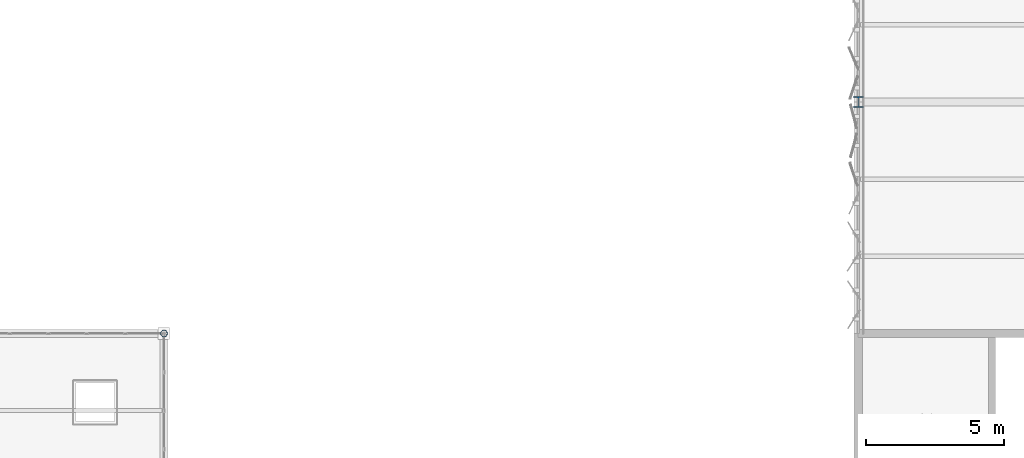
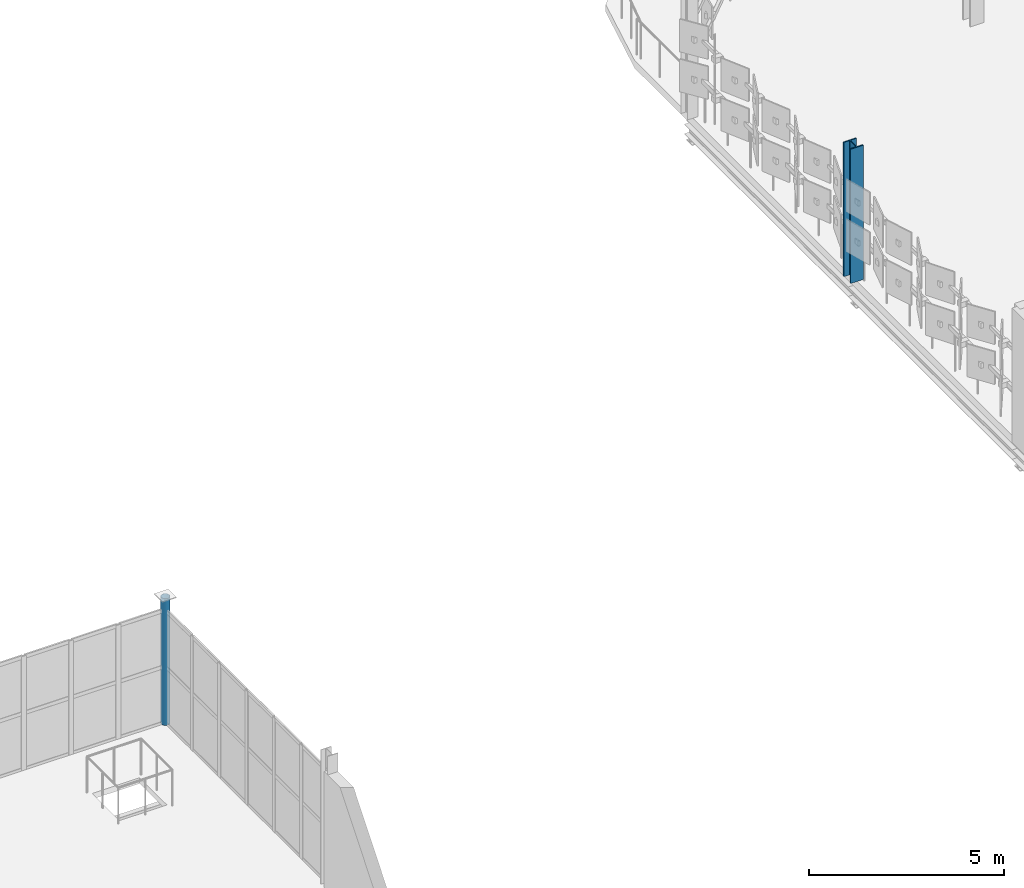
# One storey, part 12 of 163: 2 columns.
"""IFC4 building model written with IfcOpenShell, lengths in metres."""

import ifcopenshell
import ifcopenshell.guid

model = None  # the IFC model being written
_history = None  # IfcOwnerHistory: only IFC2X3 demands one
_inside = {}  # id of a spatial element -> (the spatial element, [elements in it])
_under = {}  # id of a project, library or spatial element -> (it, [spatial elements below it])
_declared = {}  # id of a project -> (the project, [libraries it declares])
_typed = {}  # id of a type object -> (the type object, [elements of that type])
_made_of = {}  # id of a material, layer set ... -> (it, [elements and type objects made of it])


def new_model(schema):
    """Start an empty IFC model of exactly this schema.

    Asked for "IFC4X3", IfcOpenShell would pick the latest addendum, in which some entities
    have other attributes; the version numbers below select the first issue.
    IFC2X3 requires an IfcOwnerHistory on every rooted entity: one is made here for all.
    """
    global model, _history
    if schema == "IFC4X3":
        model = ifcopenshell.file(schema_version=(4, 3, 0, 0))
    else:
        model = ifcopenshell.file(schema=schema)
    _inside.clear()
    _under.clear()
    _declared.clear()
    _typed.clear()
    _made_of.clear()
    _history = None
    if model.schema == "IFC2X3":
        org = make("IfcOrganization", Name="unknown")
        user = make(
            "IfcPersonAndOrganization",
            ThePerson=make("IfcPerson", FamilyName="unknown"),
            TheOrganization=org,
        )
        app = make(
            "IfcApplication",
            ApplicationDeveloper=org,
            Version="unknown",
            ApplicationFullName="unknown",
            ApplicationIdentifier="unknown",
        )
        _history = make(
            "IfcOwnerHistory",
            OwningUser=user,
            OwningApplication=app,
            ChangeAction="ADDED",
            CreationDate=0,
        )
    return model


def make(cls, **values):
    """One entity of the class cls with the attributes given. An attribute that is None is left unset."""
    return model.create_entity(
        cls, **{name: value for name, value in values.items() if value is not None}
    )


def rooted(cls, **values):
    """An entity with a GlobalId (a new one), such as an element, a storey or a relation."""
    return make(cls, GlobalId=ifcopenshell.guid.new(), OwnerHistory=_history, **values)


def si_unit(unit_type, name, prefix=None):
    """IfcSIUnit, for example si_unit("LENGTHUNIT", "METRE", prefix="MILLI")."""
    return make("IfcSIUnit", UnitType=unit_type, Prefix=prefix, Name=name)


def assignment(units):
    """IfcUnitAssignment: the units of a project."""
    return None if units is None else make("IfcUnitAssignment", Units=units)


def point(xyz):
    """IfcCartesianPoint."""
    return None if xyz is None else make("IfcCartesianPoint", Coordinates=xyz)


def direction(xyz):
    """IfcDirection."""
    return None if xyz is None else make("IfcDirection", DirectionRatios=xyz)


def frame(location, z_axis=None, x_axis=None):
    """IfcAxis2Placement3D, a coordinate frame: its origin and axes. An axis left out is left unset."""
    return make(
        "IfcAxis2Placement3D",
        Location=point(location),
        Axis=direction(z_axis),
        RefDirection=direction(x_axis),
    )


def frame_2d(location, x_axis=None):
    """IfcAxis2Placement2D, a coordinate frame in the plane: its origin and x axis."""
    return make(
        "IfcAxis2Placement2D", Location=point(location), RefDirection=direction(x_axis)
    )


def origin():
    """The frame at (0, 0, 0) with its axes left unset."""
    return frame((0.0, 0.0, 0.0))


def origin_2d():
    """The frame at (0, 0) in the plane with its x axis left unset."""
    return frame_2d((0.0, 0.0))


def place(relative_to, where):
    """IfcLocalPlacement: puts the frame where relative to a parent placement (None: the world)."""
    return make(
        "IfcLocalPlacement", PlacementRelTo=relative_to, RelativePlacement=where
    )


def context(
    kind, dimensions, precision=None, world=None, true_north=None, identifier=None
):
    """IfcGeometricRepresentationContext, for example the 3D "Model" context."""
    return make(
        "IfcGeometricRepresentationContext",
        ContextIdentifier=identifier,
        ContextType=kind,
        CoordinateSpaceDimension=dimensions,
        Precision=precision,
        WorldCoordinateSystem=world,
        TrueNorth=true_north,
    )


def subcontext(parent, identifier, kind, view, scale=None):
    """IfcGeometricRepresentationSubContext, for example "Body" below "Model"."""
    return make(
        "IfcGeometricRepresentationSubContext",
        ContextIdentifier=identifier,
        ContextType=kind,
        ParentContext=parent,
        TargetScale=scale,
        TargetView=view,
    )


def project(units=None, contexts=None):
    """IfcProject with its units and contexts."""
    return rooted(
        "IfcProject",
        Name="project",
        RepresentationContexts=contexts,
        UnitsInContext=assignment(units),
    )


def spatial(cls, under=None, at=None, **own):
    """A site, building, storey or space (cls), placed at a placement, below another one or the project."""
    s = rooted(cls, ObjectPlacement=at, **own)
    if under is not None:
        _under.setdefault(under.id(), (under, []))[1].append(s)
    return s


def profile(cls, at=None, kind="AREA", **sizes):
    """A parametric profile (cls). Its sizes go by their IFC names, for example OverallWidth=200.0."""
    return make(cls, ProfileType=kind, Position=at, **sizes)


def hollow_circle(**sizes):
    """IfcCircleHollowProfileDef."""
    return profile("IfcCircleHollowProfileDef", **sizes)


def i_section(**sizes):
    """IfcIShapeProfileDef."""
    return profile("IfcIShapeProfileDef", **sizes)


def extrude(swept, where, along, depth):
    """IfcExtrudedAreaSolid: the profile swept, set in the frame where, extruded along a direction by depth."""
    return make(
        "IfcExtrudedAreaSolid",
        SweptArea=swept,
        Position=where,
        ExtrudedDirection=direction(along),
        Depth=depth,
    )


def shape(context_of_items, identifier, shape_type, items):
    """IfcShapeRepresentation: the items that make up one representation, for example the "Body"."""
    return make(
        "IfcShapeRepresentation",
        ContextOfItems=context_of_items,
        RepresentationIdentifier=identifier,
        RepresentationType=shape_type,
        Items=items,
    )


def material(Name=None, Category=None):
    """IfcMaterial."""
    return make("IfcMaterial", Name=Name, Category=Category)


def material_profile(
    of_material, cross_section, Name=None, Category=None, Priority=None
):
    """IfcMaterialProfile: a cross section and its material."""
    return make(
        "IfcMaterialProfile",
        Name=Name,
        Material=of_material,
        Profile=cross_section,
        Priority=Priority,
        Category=Category,
    )


def profile_set(profiles, Name=None, composite=None):
    """IfcMaterialProfileSet."""
    return make(
        "IfcMaterialProfileSet",
        Name=Name,
        MaterialProfiles=profiles,
        CompositeProfile=composite,
    )


def made_of(thing, what):
    """Note that an element or type object is made of a material, layer set ...; save() writes the relation."""
    if what is not None:
        _made_of.setdefault(what.id(), (what, []))[1].append(thing)
    return thing


def type_object(cls, material=None, **own):
    """A type object (cls), such as IfcWallType, which elements share."""
    return made_of(rooted(cls, **own), material)


def element(
    cls,
    number,
    at=None,
    inside=None,
    cuts=None,
    type_object=None,
    material=None,
    context=None,
    identifier="Body",
    shape_type=None,
    held_by="IfcProductDefinitionShape",
    body=None,
    shapes=None,
    **own,
):
    """One element of the class cls, such as IfcWall. Its Tag is "e" and its number.

    at: its placement. inside: the storey or other place that contains it. cuts: it is an
    opening in that element (IfcRelVoidsElement). A single representation is given by context,
    identifier, shape_type and body (its items); several are given by shapes. held_by: the class
    of the entity that holds the representations. save() writes the other relations.
    """
    e = rooted(cls, Tag="e%d" % number, ObjectPlacement=at, **own)
    if body is not None:
        shapes = [shape(context, identifier, shape_type, body)]
    if shapes is not None:
        e.Representation = make(held_by, Representations=shapes)
    if inside is not None:
        _inside.setdefault(inside.id(), (inside, []))[1].append(e)
    if cuts is not None:
        rooted(
            "IfcRelVoidsElement", RelatingBuildingElement=cuts, RelatedOpeningElement=e
        )
    if type_object is not None:
        _typed.setdefault(type_object.id(), (type_object, []))[1].append(e)
    return made_of(e, material)


def aggregate(whole, parts):
    """IfcRelAggregates: a whole, such as a stair, and the parts it consists of."""
    return rooted("IfcRelAggregates", RelatingObject=whole, RelatedObjects=parts)


def save(model, path):
    """Write the relations noted so far, then the file.

    IfcRelAggregates (storeys below a building ...), IfcRelContainedInSpatialStructure (elements
    in a storey), IfcRelDefinesByType, IfcRelAssociatesMaterial and IfcRelDeclares: one each for
    every whole, place, type object, material and project.
    """
    for whole, parts in _under.values():
        aggregate(whole, parts)
    for where, things in _inside.values():
        rooted(
            "IfcRelContainedInSpatialStructure",
            RelatedElements=things,
            RelatingStructure=where,
        )
    for kind, things in _typed.values():
        rooted("IfcRelDefinesByType", RelatedObjects=things, RelatingType=kind)
    for what, things in _made_of.values():
        rooted("IfcRelAssociatesMaterial", RelatedObjects=things, RelatingMaterial=what)
    for by, libraries in _declared.values():
        rooted("IfcRelDeclares", RelatingContext=by, RelatedDefinitions=libraries)
    model.write(path)


model = new_model("IFC4")

# Units and contexts
model_context = context("Model", 3, precision=1e-05, world=origin(), true_north=direction((0.0, 1.0)))
body_context = subcontext(model_context, "Body", "Model", "MODEL_VIEW")
ifc_project = project(units=[si_unit("LENGTHUNIT", "METRE"), si_unit("AREAUNIT", "SQUARE_METRE"), si_unit("VOLUMEUNIT", "CUBIC_METRE"), si_unit("PLANEANGLEUNIT", "RADIAN"), si_unit("MASSUNIT", "GRAM", prefix="KILO")], contexts=[model_context])

# Site, building, storey
site_placement = place(None, origin())
site = spatial("IfcSite", under=ifc_project, at=site_placement, CompositionType="ELEMENT")
building_placement = place(site_placement, origin())
building = spatial("IfcBuilding", under=site, at=building_placement, Name="Qalvenar Corner Mobility Hub", CompositionType="ELEMENT")
storey_placement = place(building_placement, frame((0.0, 0.0, 4.800048828125)))
storey = spatial("IfcBuildingStorey", under=building, at=storey_placement, Name="L01", CompositionType="ELEMENT", Elevation=4.800048828125)

# Columns
ifc_material = material(Name="Steel S355", Category="steel")
ifc_material_profile_1 = material_profile(ifc_material, hollow_circle(Radius=0.122314453125, WallThickness=0.008056640625, at=origin_2d()), Name="CHS244.5x8")
ifc_profile_set_1 = profile_set([ifc_material_profile_1], Name="Steel S355")
column_type_1 = type_object("IfcColumnType", Name="COL-CHS244", PredefinedType="COLUMN", material=ifc_profile_set_1)
column_1_placement = place(storey_placement, frame((33.60009765625, 92.39990234375, 0.0), z_axis=(0.0, 0.0, 1.0), x_axis=(1.0, 0.0, 0.0)))
element("IfcColumn", 1, at=column_1_placement, inside=storey, type_object=column_type_1, Name="Steel Column L01-G5-11", PredefinedType="COLUMN", context=body_context, shape_type="SweptSolid", body=[
    extrude(hollow_circle(Radius=0.122314453125, WallThickness=0.008056640625, at=origin_2d()), origin(), (0.0, 0.0, 1.0), 3.9580078125),
])
ifc_material_profile_2 = material_profile(ifc_material, i_section(OverallWidth=0.376953125, OverallDepth=0.386962890625, WebThickness=0.0224609375, FlangeThickness=0.035888671875, FilletRadius=0.014892578125, at=origin_2d()), Name="HD360x262")
ifc_profile_set_2 = profile_set([ifc_material_profile_2], Name="Steel S355")
column_type_2 = type_object("IfcColumnType", Name="COL-HD360X262", PredefinedType="COLUMN", material=ifc_profile_set_2)
column_2_placement = place(storey_placement, frame((58.800048828125, 100.800048828125, 0.0), z_axis=(0.0, 0.0, 1.0), x_axis=(1.0, 0.0, 0.0)))
element("IfcColumn", 2, at=column_2_placement, inside=storey, type_object=column_type_2, Name="Steel Column L01-G8-12", PredefinedType="COLUMN", context=body_context, shape_type="SweptSolid", body=[
    extrude(i_section(OverallWidth=0.376953125, OverallDepth=0.386962890625, WebThickness=0.0224609375, FlangeThickness=0.035888671875, FilletRadius=0.014892578125, at=origin_2d()), origin(), (0.0, 0.0, 1.0), 4.199951171875),
])

save(model, "model.ifc")
